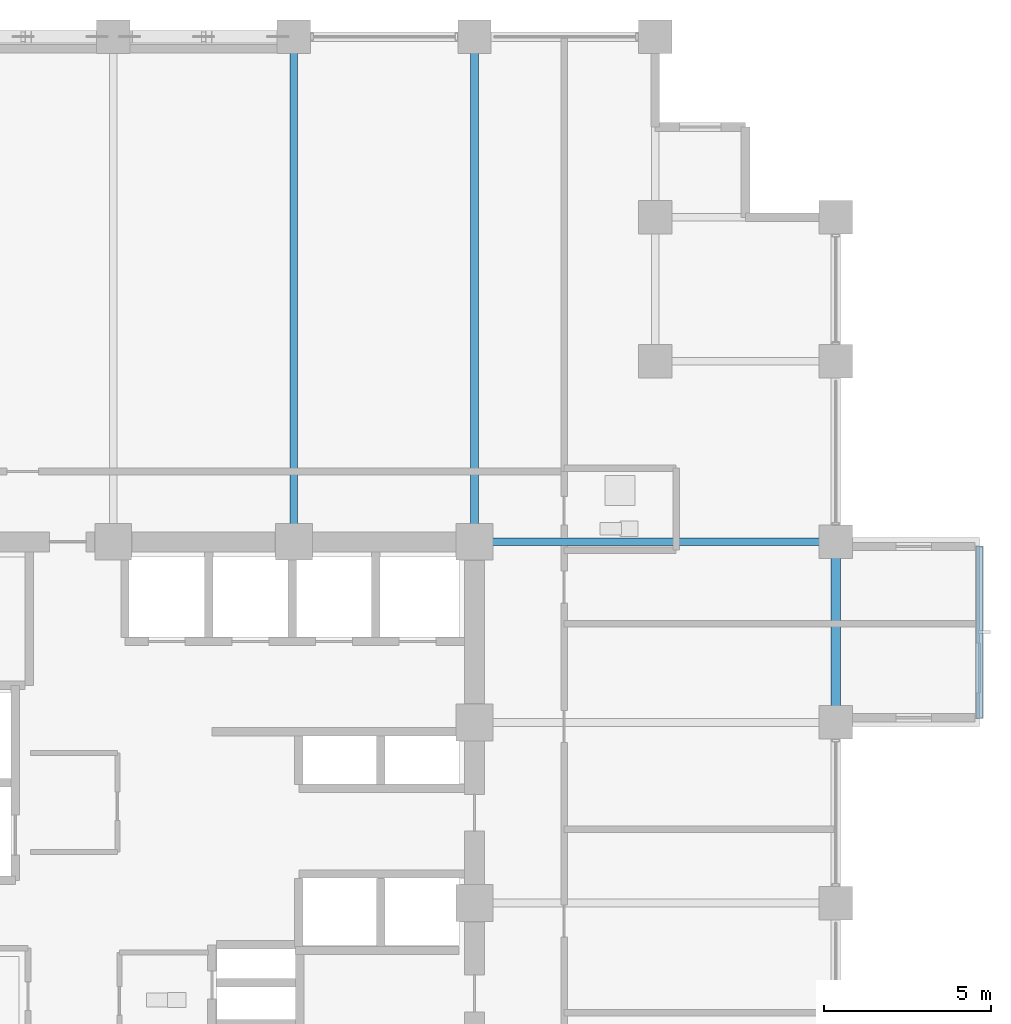
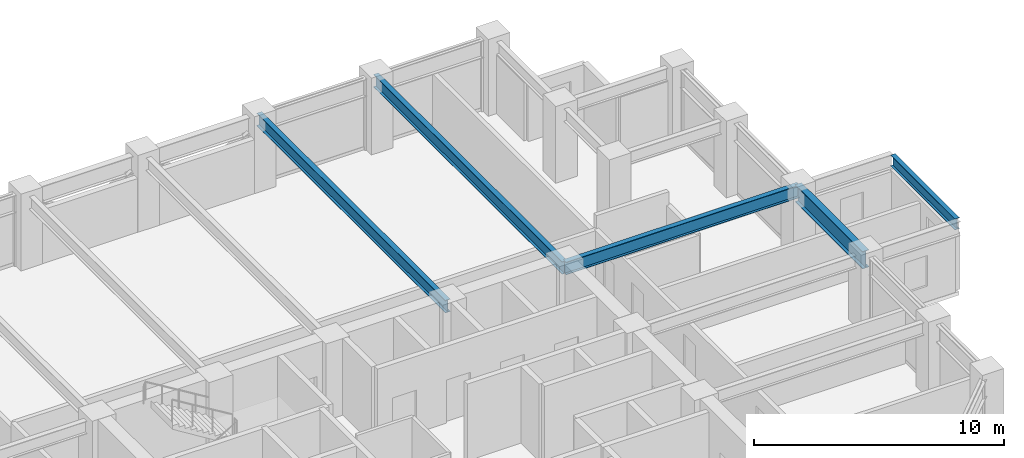
# One storey, part 16 of 29: 5 beams.
"""IFC4 building model written with IfcOpenShell, lengths in metres."""

from ifc_helpers import new_model, si_unit, direction, frame, origin, origin_2d, place, context, subcontext, project, spatial, i_section, extrude, material, material_profile, profile_set, type_object, element, save


model = new_model("IFC4")

# Units and contexts
model_context = context("Model", 3, precision=1e-05, world=origin(), true_north=direction((0.0, 1.0)))
body_context = subcontext(model_context, "Body", "Model", "MODEL_VIEW")
ifc_project = project(units=[si_unit("LENGTHUNIT", "METRE"), si_unit("AREAUNIT", "SQUARE_METRE"), si_unit("VOLUMEUNIT", "CUBIC_METRE"), si_unit("PLANEANGLEUNIT", "RADIAN"), si_unit("MASSUNIT", "GRAM", prefix="KILO")], contexts=[model_context])

# Site, building, storey
site_placement = place(None, origin())
site = spatial("IfcSite", under=ifc_project, at=site_placement, CompositionType="ELEMENT")
building_placement = place(site_placement, origin())
building = spatial("IfcBuilding", under=site, at=building_placement, Name="Surkhivell Harbour Commons", CompositionType="ELEMENT")
storey_placement = place(building_placement, frame((0.0, 0.0, 158.25)))
storey = spatial("IfcBuildingStorey", under=building, at=storey_placement, Name="L41", CompositionType="ELEMENT", Elevation=158.25)

# Beams
ifc_material_1 = material(Name="Steel S355", Category="steel")
ifc_material_profile_1 = material_profile(ifc_material_1, i_section(OverallWidth=0.2099609375, OverallDepth=0.537109375, WebThickness=0.0107421875, FlangeThickness=0.017333984375, at=origin_2d()), Name="UB533x210x101")
ifc_profile_set_1 = profile_set([ifc_material_profile_1], Name="Steel S355")
beam_type_1 = type_object("IfcBeamType", Name="BM-GRD-533B", PredefinedType="BEAM", material=ifc_profile_set_1)
beam_1_placement = place(storey_placement, frame((25.89990234375, 5.52197265625, 3.2314453125), z_axis=(0.0, 1.0, 0.0), x_axis=(-1.0, 0.0, 0.0)))
element("IfcBeam", 1, at=beam_1_placement, inside=storey, type_object=beam_type_1, Name="L41 Box Rim Spandrel (25.9,5.4)", PredefinedType="BEAM", context=body_context, shape_type="SweptSolid", body=[
    extrude(i_section(OverallWidth=0.2099609375, OverallDepth=0.537109375, WebThickness=0.0107421875, FlangeThickness=0.017333984375, at=origin_2d()), origin(), (0.0, 0.0, 1.0), 5.156005859375),
])
ifc_material_profile_2 = material_profile(ifc_material_1, i_section(OverallWidth=0.22998046875, OverallDepth=0.616943359375, WebThickness=0.01318359375, FlangeThickness=0.022216796875, at=origin_2d()), Name="UB610x229x140")
ifc_profile_set_2 = profile_set([ifc_material_profile_2], Name="Steel S355")
beam_type_2 = type_object("IfcBeamType", Name="BM-GRD-610B", PredefinedType="BEAM", material=ifc_profile_set_2)
beam_2_placement = place(storey_placement, frame((10.800048828125, 10.800048828125, 3.19140625), z_axis=(1.0, 0.0, 0.0), x_axis=(0.0, 1.0, 0.0)))
element("IfcBeam", 2, at=beam_2_placement, inside=storey, type_object=beam_type_2, Name="L41 Cantilever Back-Span Girder (10.8,10.8)", PredefinedType="BEAM", context=body_context, shape_type="SweptSolid", body=[
    extrude(i_section(OverallWidth=0.22998046875, OverallDepth=0.616943359375, WebThickness=0.01318359375, FlangeThickness=0.022216796875, at=origin_2d()), origin(), (0.0, 0.0, 1.0), 10.800048828125),
])
for number, where, z_axis, x_axis, name in (
    (3, (5.39990234375, 10.800048828125, 3.19140625), (0.0, 1.0, 0.0), (-1.0, 0.0, 0.0), "L41 Floor Girder (5.4,10.8)"),
    (4, (10.800048828125, 10.800048828125, 3.19140625), (0.0, 1.0, 0.0), (-1.0, 0.0, 0.0), "L41 Floor Girder (10.8,10.8)"),
):
    element("IfcBeam", number, at=place(storey_placement, frame(where, z_axis=z_axis, x_axis=x_axis)), inside=storey, type_object=beam_type_2, Name=name, PredefinedType="BEAM", context=body_context, shape_type="SweptSolid", body=[
        extrude(i_section(OverallWidth=0.22998046875, OverallDepth=0.616943359375, WebThickness=0.01318359375, FlangeThickness=0.022216796875, at=origin_2d()), origin(), (0.0, 0.0, 1.0), 15.099853515625),
    ])
ifc_material_2 = material(Name="Steel S460", Category="steel")
ifc_material_profile_3 = material_profile(ifc_material_2, i_section(OverallWidth=0.2939453125, OverallDepth=0.85107421875, WebThickness=0.01611328125, FlangeThickness=0.02685546875, at=origin_2d()), Name="UB838x292x226")
ifc_profile_set_3 = profile_set([ifc_material_profile_3], Name="Steel S460")
beam_type_3 = type_object("IfcBeamType", Name="BM-SPN-838", PredefinedType="SPANDREL", material=ifc_profile_set_3)
beam_3_placement = place(storey_placement, frame((21.60009765625, 5.39990234375, 3.074462890625), z_axis=(0.0, 1.0, 0.0), x_axis=(-1.0, 0.0, 0.0)))
element("IfcBeam", 5, at=beam_3_placement, inside=storey, type_object=beam_type_3, Name="L41 Tube Spandrel (21.6,5.4)", PredefinedType="SPANDREL", context=body_context, shape_type="SweptSolid", body=[
    extrude(i_section(OverallWidth=0.2939453125, OverallDepth=0.85107421875, WebThickness=0.01611328125, FlangeThickness=0.02685546875, at=origin_2d()), origin(), (0.0, 0.0, 1.0), 5.400146484375),
])

save(model, "model.ifc")
